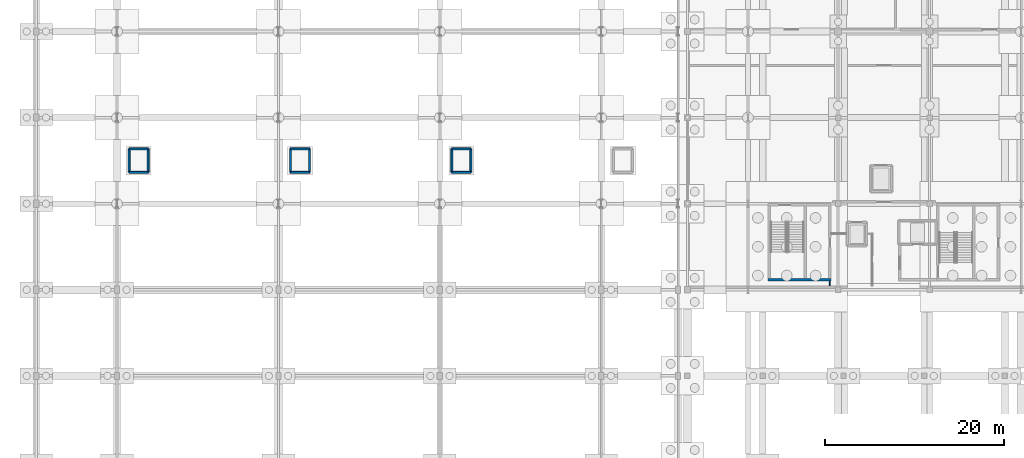
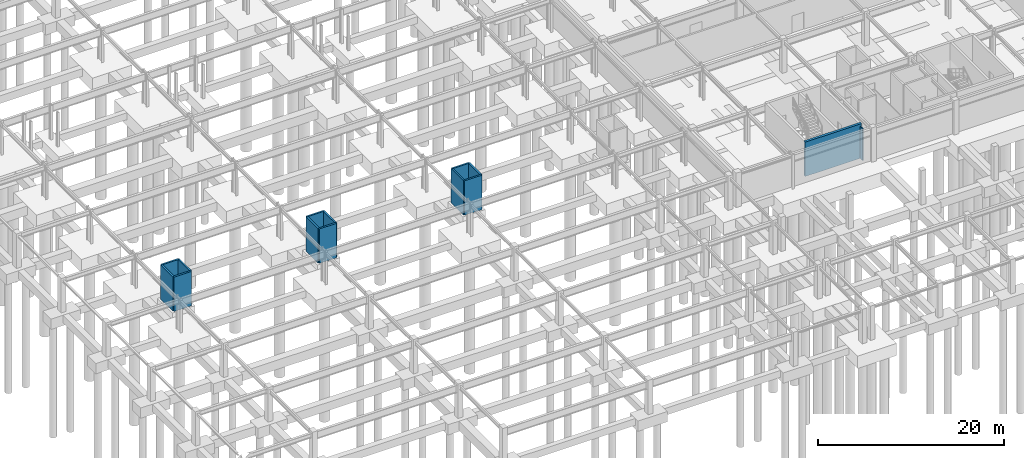
# One storey, part 39 of 59: 14 walls.
"""IFC4 building model written with IfcOpenShell, lengths in metres."""

from ifc_helpers import new_model, si_unit, direction, frame, frame_2d, origin, place, context, subcontext, project, spatial, rectangle, extrude, material, layer, layer_set, type_object, element, save


model = new_model("IFC4")

# Units and contexts
model_context = context("Model", 3, precision=1e-05, world=origin(), true_north=direction((0.0, 1.0)))
body_context = subcontext(model_context, "Body", "Model", "MODEL_VIEW")
ifc_project = project(units=[si_unit("LENGTHUNIT", "METRE"), si_unit("AREAUNIT", "SQUARE_METRE"), si_unit("VOLUMEUNIT", "CUBIC_METRE"), si_unit("PLANEANGLEUNIT", "RADIAN"), si_unit("MASSUNIT", "GRAM", prefix="KILO")], contexts=[model_context])

# Site, building, storey
site_placement = place(None, origin())
site = spatial("IfcSite", under=ifc_project, at=site_placement, CompositionType="ELEMENT")
building_placement = place(site_placement, origin())
building = spatial("IfcBuilding", under=site, at=building_placement, Name="Myrtia Square Station", CompositionType="ELEMENT")
storey_placement = place(building_placement, frame((0.0, 0.0, -4.5)))
storey = spatial("IfcBuildingStorey", under=building, at=storey_placement, Name="B01", CompositionType="ELEMENT", Elevation=-4.5)

# Walls
ifc_material_1 = material(Name="Concrete C35/45", Category="concrete")
ifc_layer_1 = layer(ifc_material_1, 0.300048828125, Name="Concrete C35/45")
ifc_layer_set_1 = layer_set([ifc_layer_1], Name="Concrete C35/45")
wall_type_1 = type_object("IfcWallType", Name="WL-CORE-300", PredefinedType="SHEAR", material=ifc_layer_set_1)
wall_1_placement = place(storey_placement, frame((81.60009765625, 29.925048828125, 0.0), z_axis=(0.0, 0.0, 1.0), x_axis=(1.0, 0.0, 0.0)))
element("IfcWall", 1, at=wall_1_placement, inside=storey, type_object=wall_type_1, Name="Core K1 shear wall B01 S", PredefinedType="SHEAR", context=body_context, shape_type="SweptSolid", body=[
    extrude(rectangle(XDim=7.0, YDim=0.300048828125, at=frame_2d((3.5, 0.0))), origin(), (0.0, 0.0, 1.0), 4.5),
])
ifc_layer_2 = layer(ifc_material_1, 0.219970703125, Name="Concrete C35/45")
ifc_layer_set_2 = layer_set([ifc_layer_2], Name="Concrete C35/45")
wall_type_2 = type_object("IfcWallType", Name="WL-LIFT-220", PredefinedType="SHEAR", material=ifc_layer_set_2)
for number, where, z_axis, x_axis, name in (
    (2, (10.340087890625, 41.889892578125, 0.0), (0.0, 0.0, 1.0), (1.0, 0.0, 0.0), "Lift shaft wall PL-01 B01 -Y"),
    (3, (10.340087890625, 44.510009765625, 0.0), (0.0, 0.0, 1.0), (1.0, 0.0, 0.0), "Lift shaft wall PL-01 B01 +Y"),
):
    element("IfcWall", number, at=place(storey_placement, frame(where, z_axis=z_axis, x_axis=x_axis)), inside=storey, type_object=wall_type_2, Name=name, PredefinedType="SHEAR", context=body_context, shape_type="SweptSolid", body=[
        extrude(rectangle(XDim=2.119873046875, YDim=0.219970703125, at=frame_2d((1.06005859375, 0.0))), origin(), (0.0, 0.0, 1.0), 4.5),
    ])
for number, where, z_axis, x_axis, name in (
    (4, (10.340087890625, 41.889892578125, 0.0), (0.0, 0.0, 1.0), (0.0, 1.0, 0.0), "Lift shaft wall PL-01 B01 -X"),
    (5, (12.4599609375, 41.889892578125, 0.0), (0.0, 0.0, 1.0), (0.0, 1.0, 0.0), "Lift shaft wall PL-01 B01 +X"),
):
    element("IfcWall", number, at=place(storey_placement, frame(where, z_axis=z_axis, x_axis=x_axis)), inside=storey, type_object=wall_type_2, Name=name, PredefinedType="SHEAR", context=body_context, shape_type="SweptSolid", body=[
        extrude(rectangle(XDim=2.6201171875, YDim=0.219970703125, at=frame_2d((1.31005859375, 0.0))), origin(), (0.0, 0.0, 1.0), 4.5),
    ])
for number, where, z_axis, x_axis, name in (
    (6, (28.340087890625, 41.889892578125, 0.0), (0.0, 0.0, 1.0), (1.0, 0.0, 0.0), "Lift shaft wall PL-02 B01 -Y"),
    (7, (28.340087890625, 44.510009765625, 0.0), (0.0, 0.0, 1.0), (1.0, 0.0, 0.0), "Lift shaft wall PL-02 B01 +Y"),
):
    element("IfcWall", number, at=place(storey_placement, frame(where, z_axis=z_axis, x_axis=x_axis)), inside=storey, type_object=wall_type_2, Name=name, PredefinedType="SHEAR", context=body_context, shape_type="SweptSolid", body=[
        extrude(rectangle(XDim=2.119873046875, YDim=0.219970703125, at=frame_2d((1.06005859375, 0.0))), origin(), (0.0, 0.0, 1.0), 4.5),
    ])
for number, where, z_axis, x_axis, name in (
    (8, (28.340087890625, 41.889892578125, 0.0), (0.0, 0.0, 1.0), (0.0, 1.0, 0.0), "Lift shaft wall PL-02 B01 -X"),
    (9, (30.4599609375, 41.889892578125, 0.0), (0.0, 0.0, 1.0), (0.0, 1.0, 0.0), "Lift shaft wall PL-02 B01 +X"),
):
    element("IfcWall", number, at=place(storey_placement, frame(where, z_axis=z_axis, x_axis=x_axis)), inside=storey, type_object=wall_type_2, Name=name, PredefinedType="SHEAR", context=body_context, shape_type="SweptSolid", body=[
        extrude(rectangle(XDim=2.6201171875, YDim=0.219970703125, at=frame_2d((1.31005859375, 0.0))), origin(), (0.0, 0.0, 1.0), 4.5),
    ])
for number, where, z_axis, x_axis, name in (
    (10, (46.340087890625, 41.889892578125, 0.0), (0.0, 0.0, 1.0), (1.0, 0.0, 0.0), "Lift shaft wall PL-03 B01 -Y"),
    (11, (46.340087890625, 44.510009765625, 0.0), (0.0, 0.0, 1.0), (1.0, 0.0, 0.0), "Lift shaft wall PL-03 B01 +Y"),
):
    element("IfcWall", number, at=place(storey_placement, frame(where, z_axis=z_axis, x_axis=x_axis)), inside=storey, type_object=wall_type_2, Name=name, PredefinedType="SHEAR", context=body_context, shape_type="SweptSolid", body=[
        extrude(rectangle(XDim=2.119873046875, YDim=0.219970703125, at=frame_2d((1.06005859375, 0.0))), origin(), (0.0, 0.0, 1.0), 4.5),
    ])
for number, where, z_axis, x_axis, name in (
    (12, (46.340087890625, 41.889892578125, 0.0), (0.0, 0.0, 1.0), (0.0, 1.0, 0.0), "Lift shaft wall PL-03 B01 -X"),
    (13, (48.4599609375, 41.889892578125, 0.0), (0.0, 0.0, 1.0), (0.0, 1.0, 0.0), "Lift shaft wall PL-03 B01 +X"),
):
    element("IfcWall", number, at=place(storey_placement, frame(where, z_axis=z_axis, x_axis=x_axis)), inside=storey, type_object=wall_type_2, Name=name, PredefinedType="SHEAR", context=body_context, shape_type="SweptSolid", body=[
        extrude(rectangle(XDim=2.6201171875, YDim=0.219970703125, at=frame_2d((1.31005859375, 0.0))), origin(), (0.0, 0.0, 1.0), 4.5),
    ])
ifc_material_2 = material(Name="Gypsum plasterboard")
ifc_layer_3 = layer(ifc_material_2, 0.10009765625, Name="Gypsum plasterboard")
ifc_layer_set_3 = layer_set([ifc_layer_3], Name="Gypsum plasterboard")
wall_type_3 = type_object("IfcWallType", Name="WL-PART-100", PredefinedType="PARTITIONING", material=ifc_layer_set_3)
wall_2_placement = place(storey_placement, frame((88.469970703125, 29.260009765625, 0.0), z_axis=(0.0, 0.0, 1.0), x_axis=(0.0, 1.0, 0.0)))
element("IfcWall", 14, at=wall_2_placement, inside=storey, type_object=wall_type_3, Name="Sanitary enclosure partition B01-05", PredefinedType="PARTITIONING", context=body_context, shape_type="SweptSolid", body=[
    extrude(rectangle(XDim=0.510009765625, YDim=0.10009765625, at=frame_2d((0.2548828125, 0.0))), origin(), (0.0, 0.0, 1.0), 4.199951171875),
])

save(model, "model.ifc")
